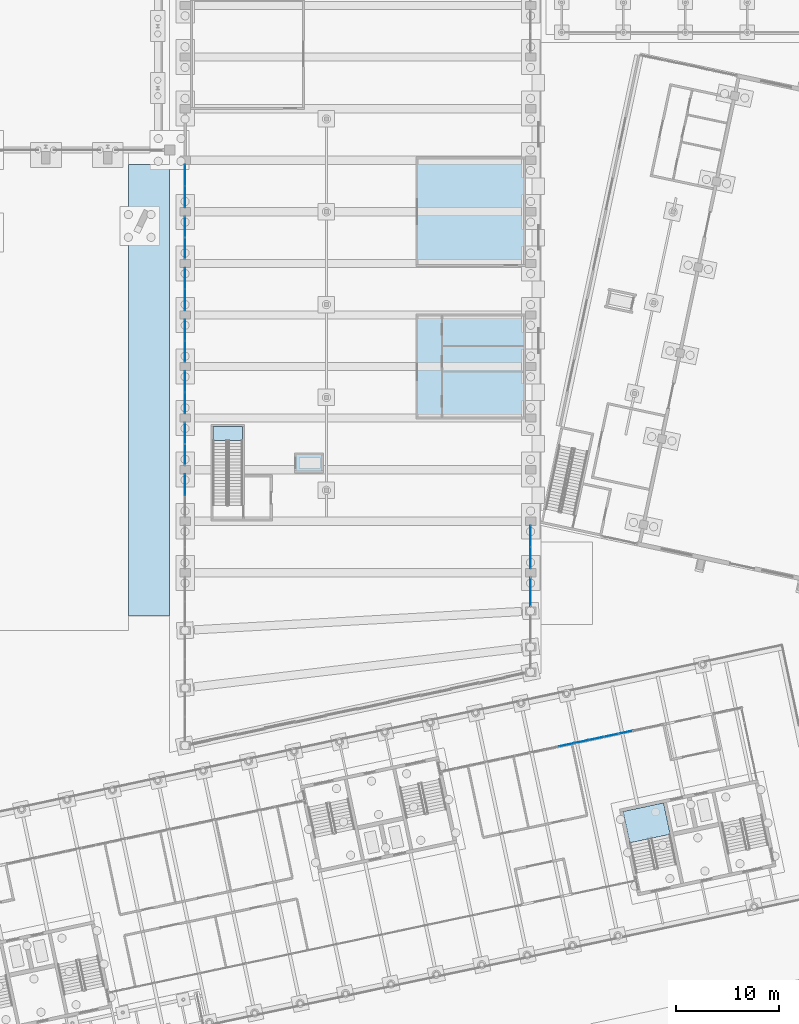
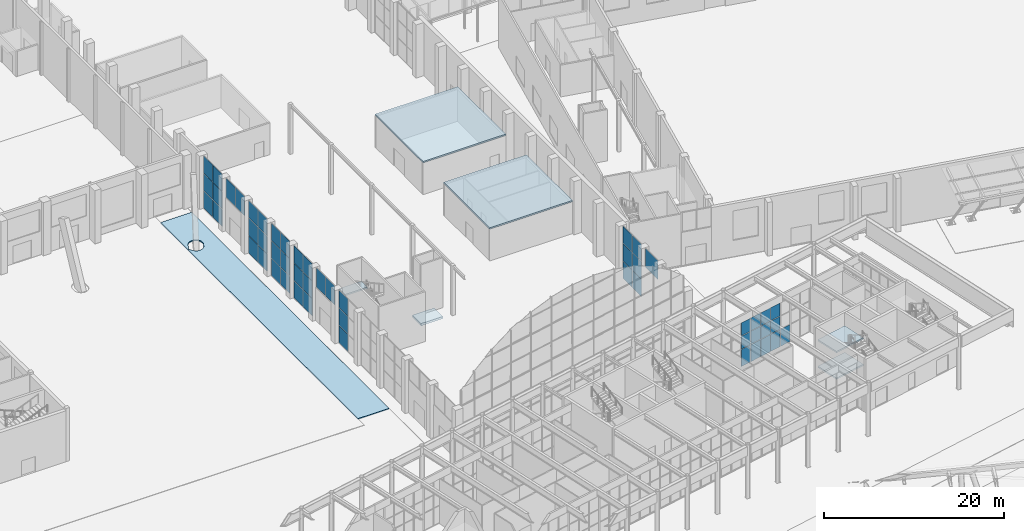
# One storey, part 154 of 239: 51 plates, 7 slabs, 12 elements without a shape of their own.
"""IFC4 building model written with IfcOpenShell, lengths in metres."""

import ifcopenshell
import ifcopenshell.guid

model = None  # the IFC model being written
_history = None  # IfcOwnerHistory: only IFC2X3 demands one
_inside = {}  # id of a spatial element -> (the spatial element, [elements in it])
_under = {}  # id of a project, library or spatial element -> (it, [spatial elements below it])
_declared = {}  # id of a project -> (the project, [libraries it declares])
_typed = {}  # id of a type object -> (the type object, [elements of that type])
_made_of = {}  # id of a material, layer set ... -> (it, [elements and type objects made of it])


def new_model(schema):
    """Start an empty IFC model of exactly this schema.

    Asked for "IFC4X3", IfcOpenShell would pick the latest addendum, in which some entities
    have other attributes; the version numbers below select the first issue.
    IFC2X3 requires an IfcOwnerHistory on every rooted entity: one is made here for all.
    """
    global model, _history
    if schema == "IFC4X3":
        model = ifcopenshell.file(schema_version=(4, 3, 0, 0))
    else:
        model = ifcopenshell.file(schema=schema)
    _inside.clear()
    _under.clear()
    _declared.clear()
    _typed.clear()
    _made_of.clear()
    _history = None
    if model.schema == "IFC2X3":
        org = make("IfcOrganization", Name="unknown")
        user = make(
            "IfcPersonAndOrganization",
            ThePerson=make("IfcPerson", FamilyName="unknown"),
            TheOrganization=org,
        )
        app = make(
            "IfcApplication",
            ApplicationDeveloper=org,
            Version="unknown",
            ApplicationFullName="unknown",
            ApplicationIdentifier="unknown",
        )
        _history = make(
            "IfcOwnerHistory",
            OwningUser=user,
            OwningApplication=app,
            ChangeAction="ADDED",
            CreationDate=0,
        )
    return model


def make(cls, **values):
    """One entity of the class cls with the attributes given. An attribute that is None is left unset."""
    return model.create_entity(
        cls, **{name: value for name, value in values.items() if value is not None}
    )


def rooted(cls, **values):
    """An entity with a GlobalId (a new one), such as an element, a storey or a relation."""
    return make(cls, GlobalId=ifcopenshell.guid.new(), OwnerHistory=_history, **values)


def si_unit(unit_type, name, prefix=None):
    """IfcSIUnit, for example si_unit("LENGTHUNIT", "METRE", prefix="MILLI")."""
    return make("IfcSIUnit", UnitType=unit_type, Prefix=prefix, Name=name)


def assignment(units):
    """IfcUnitAssignment: the units of a project."""
    return None if units is None else make("IfcUnitAssignment", Units=units)


def point(xyz):
    """IfcCartesianPoint."""
    return None if xyz is None else make("IfcCartesianPoint", Coordinates=xyz)


def direction(xyz):
    """IfcDirection."""
    return None if xyz is None else make("IfcDirection", DirectionRatios=xyz)


def frame(location, z_axis=None, x_axis=None):
    """IfcAxis2Placement3D, a coordinate frame: its origin and axes. An axis left out is left unset."""
    return make(
        "IfcAxis2Placement3D",
        Location=point(location),
        Axis=direction(z_axis),
        RefDirection=direction(x_axis),
    )


def frame_2d(location, x_axis=None):
    """IfcAxis2Placement2D, a coordinate frame in the plane: its origin and x axis."""
    return make(
        "IfcAxis2Placement2D", Location=point(location), RefDirection=direction(x_axis)
    )


def origin():
    """The frame at (0, 0, 0) with its axes left unset."""
    return frame((0.0, 0.0, 0.0))


def origin_2d():
    """The frame at (0, 0) in the plane with its x axis left unset."""
    return frame_2d((0.0, 0.0))


def place(relative_to, where):
    """IfcLocalPlacement: puts the frame where relative to a parent placement (None: the world)."""
    return make(
        "IfcLocalPlacement", PlacementRelTo=relative_to, RelativePlacement=where
    )


def context(
    kind, dimensions, precision=None, world=None, true_north=None, identifier=None
):
    """IfcGeometricRepresentationContext, for example the 3D "Model" context."""
    return make(
        "IfcGeometricRepresentationContext",
        ContextIdentifier=identifier,
        ContextType=kind,
        CoordinateSpaceDimension=dimensions,
        Precision=precision,
        WorldCoordinateSystem=world,
        TrueNorth=true_north,
    )


def subcontext(parent, identifier, kind, view, scale=None):
    """IfcGeometricRepresentationSubContext, for example "Body" below "Model"."""
    return make(
        "IfcGeometricRepresentationSubContext",
        ContextIdentifier=identifier,
        ContextType=kind,
        ParentContext=parent,
        TargetScale=scale,
        TargetView=view,
    )


def project(units=None, contexts=None):
    """IfcProject with its units and contexts."""
    return rooted(
        "IfcProject",
        Name="project",
        RepresentationContexts=contexts,
        UnitsInContext=assignment(units),
    )


def spatial(cls, under=None, at=None, **own):
    """A site, building, storey or space (cls), placed at a placement, below another one or the project."""
    s = rooted(cls, ObjectPlacement=at, **own)
    if under is not None:
        _under.setdefault(under.id(), (under, []))[1].append(s)
    return s


def polyline(points):
    """IfcPolyline through the points."""
    return make("IfcPolyline", Points=[point(p) for p in points])


def profile(cls, at=None, kind="AREA", **sizes):
    """A parametric profile (cls). Its sizes go by their IFC names, for example OverallWidth=200.0."""
    return make(cls, ProfileType=kind, Position=at, **sizes)


def rectangle(**sizes):
    """IfcRectangleProfileDef."""
    return profile("IfcRectangleProfileDef", **sizes)


def outline(outer, holes=None, kind="AREA"):
    """IfcArbitraryClosedProfileDef: a profile drawn as a closed curve; with holes, ...WithVoids."""
    if holes is None:
        return make("IfcArbitraryClosedProfileDef", ProfileType=kind, OuterCurve=outer)
    return make(
        "IfcArbitraryProfileDefWithVoids",
        ProfileType=kind,
        OuterCurve=outer,
        InnerCurves=holes,
    )


def extrude(swept, where, along, depth):
    """IfcExtrudedAreaSolid: the profile swept, set in the frame where, extruded along a direction by depth."""
    return make(
        "IfcExtrudedAreaSolid",
        SweptArea=swept,
        Position=where,
        ExtrudedDirection=direction(along),
        Depth=depth,
    )


def shape(context_of_items, identifier, shape_type, items):
    """IfcShapeRepresentation: the items that make up one representation, for example the "Body"."""
    return make(
        "IfcShapeRepresentation",
        ContextOfItems=context_of_items,
        RepresentationIdentifier=identifier,
        RepresentationType=shape_type,
        Items=items,
    )


def material(Name=None, Category=None):
    """IfcMaterial."""
    return make("IfcMaterial", Name=Name, Category=Category)


def layer(
    of_material, thickness, ventilated=None, Name=None, Category=None, Priority=None
):
    """IfcMaterialLayer: one layer of a wall or slab, of a material (None: an air gap)."""
    return make(
        "IfcMaterialLayer",
        Material=of_material,
        LayerThickness=thickness,
        IsVentilated=ventilated,
        Name=Name,
        Category=Category,
        Priority=Priority,
    )


def layer_set(layers, Name=None):
    """IfcMaterialLayerSet."""
    return make("IfcMaterialLayerSet", MaterialLayers=layers, LayerSetName=Name)


def made_of(thing, what):
    """Note that an element or type object is made of a material, layer set ...; save() writes the relation."""
    if what is not None:
        _made_of.setdefault(what.id(), (what, []))[1].append(thing)
    return thing


def type_object(cls, material=None, **own):
    """A type object (cls), such as IfcWallType, which elements share."""
    return made_of(rooted(cls, **own), material)


def element(
    cls,
    number,
    at=None,
    inside=None,
    cuts=None,
    type_object=None,
    material=None,
    context=None,
    identifier="Body",
    shape_type=None,
    held_by="IfcProductDefinitionShape",
    body=None,
    shapes=None,
    **own,
):
    """One element of the class cls, such as IfcWall. Its Tag is "e" and its number.

    at: its placement. inside: the storey or other place that contains it. cuts: it is an
    opening in that element (IfcRelVoidsElement). A single representation is given by context,
    identifier, shape_type and body (its items); several are given by shapes. held_by: the class
    of the entity that holds the representations. save() writes the other relations.
    """
    e = rooted(cls, Tag="e%d" % number, ObjectPlacement=at, **own)
    if body is not None:
        shapes = [shape(context, identifier, shape_type, body)]
    if shapes is not None:
        e.Representation = make(held_by, Representations=shapes)
    if inside is not None:
        _inside.setdefault(inside.id(), (inside, []))[1].append(e)
    if cuts is not None:
        rooted(
            "IfcRelVoidsElement", RelatingBuildingElement=cuts, RelatedOpeningElement=e
        )
    if type_object is not None:
        _typed.setdefault(type_object.id(), (type_object, []))[1].append(e)
    return made_of(e, material)


def aggregate(whole, parts):
    """IfcRelAggregates: a whole, such as a stair, and the parts it consists of."""
    return rooted("IfcRelAggregates", RelatingObject=whole, RelatedObjects=parts)


def save(model, path):
    """Write the relations noted so far, then the file.

    IfcRelAggregates (storeys below a building ...), IfcRelContainedInSpatialStructure (elements
    in a storey), IfcRelDefinesByType, IfcRelAssociatesMaterial and IfcRelDeclares: one each for
    every whole, place, type object, material and project.
    """
    for whole, parts in _under.values():
        aggregate(whole, parts)
    for where, things in _inside.values():
        rooted(
            "IfcRelContainedInSpatialStructure",
            RelatedElements=things,
            RelatingStructure=where,
        )
    for kind, things in _typed.values():
        rooted("IfcRelDefinesByType", RelatedObjects=things, RelatingType=kind)
    for what, things in _made_of.values():
        rooted("IfcRelAssociatesMaterial", RelatedObjects=things, RelatingMaterial=what)
    for by, libraries in _declared.values():
        rooted("IfcRelDeclares", RelatingContext=by, RelatedDefinitions=libraries)
    model.write(path)


model = new_model("IFC4")

# Units and contexts
model_context = context("Model", 3, precision=1e-05, world=origin(), true_north=direction((0.0, 1.0)))
body_context = subcontext(model_context, "Body", "Model", "MODEL_VIEW")
ifc_project = project(units=[si_unit("LENGTHUNIT", "METRE"), si_unit("AREAUNIT", "SQUARE_METRE"), si_unit("VOLUMEUNIT", "CUBIC_METRE"), si_unit("PLANEANGLEUNIT", "RADIAN"), si_unit("MASSUNIT", "GRAM", prefix="KILO")], contexts=[model_context])

# Site, building, storey
site_placement = place(None, origin())
site = spatial("IfcSite", under=ifc_project, at=site_placement, CompositionType="ELEMENT")
building_placement = place(site_placement, origin())
building = spatial("IfcBuilding", under=site, at=building_placement, Name="Okhra Congress Centre", CompositionType="ELEMENT")
storey_placement = place(building_placement, origin())
storey = spatial("IfcBuildingStorey", under=building, at=storey_placement, Name="L00", CompositionType="ELEMENT", Elevation=0.0)

# Curtain wall, plates
ifc_material_1 = material(Name="Aluminium curtain wall, triple glazing", Category="aluminium")
curtain_wall_type_1 = type_object("IfcCurtainWallType", Name="Curtain wall 2100 module", PredefinedType="NOTDEFINED", material=ifc_material_1)
curtain_wall_1_placement = place(storey_placement, origin())
curtain_wall_1 = element("IfcCurtainWall", 1, at=curtain_wall_1_placement, inside=storey, type_object=curtain_wall_type_1, Name="West bay 5 glazing", PredefinedType="NOTDEFINED")
ifc_material_2 = material(Name="Triple glazing unit, low-e coating, argon fill", Category="glass")
ifc_layer_1 = layer(ifc_material_2, 0.028076171875)
ifc_layer_set_1 = layer_set([ifc_layer_1], Name="Curtain wall glazing unit 28")
plate_type = type_object("IfcPlateType", Name="Curtain wall glazing unit 28", PredefinedType="CURTAIN_PANEL", material=ifc_layer_set_1)
plate_1_placement = place(storey_placement, frame((155.5, 99.534912109375, 0.06005859375), z_axis=(0.0, 0.0, 1.0), x_axis=(0.0, 1.0, 0.0)))
plate_1 = element("IfcPlate", 2, at=plate_1_placement, type_object=plate_type, Name="CW4 panel 2.1", PredefinedType="CURTAIN_PANEL", context=body_context, shape_type="SweptSolid", body=[
    extrude(rectangle(XDim=2.010009765625, YDim=0.028076171875, at=origin_2d()), origin(), (0.0, 0.0, 1.0), 2.31005859375),
])
plate_2_placement = place(storey_placement, frame((155.5, 99.534912109375, 2.43017578125), z_axis=(0.0, 0.0, 1.0), x_axis=(0.0, 1.0, 0.0)))
plate_2 = element("IfcPlate", 3, at=plate_2_placement, type_object=plate_type, Name="CW4 panel 2.2", PredefinedType="CURTAIN_PANEL", context=body_context, shape_type="SweptSolid", body=[
    extrude(rectangle(XDim=2.010009765625, YDim=0.028076171875, at=origin_2d()), origin(), (0.0, 0.0, 1.0), 2.340087890625),
])
plate_3_placement = place(storey_placement, frame((155.5, 99.534912109375, 4.830078125), z_axis=(0.0, 0.0, 1.0), x_axis=(0.0, 1.0, 0.0)))
plate_3 = element("IfcPlate", 4, at=plate_3_placement, type_object=plate_type, Name="CW4 panel 2.3", PredefinedType="CURTAIN_PANEL", context=body_context, shape_type="SweptSolid", body=[
    extrude(rectangle(XDim=2.010009765625, YDim=0.028076171875, at=origin_2d()), origin(), (0.0, 0.0, 1.0), 2.31005859375),
])
aggregate(curtain_wall_1, [plate_1, plate_2, plate_3])

curtain_wall_2_placement = place(storey_placement, origin())
curtain_wall_2 = element("IfcCurtainWall", 5, at=curtain_wall_2_placement, inside=storey, type_object=curtain_wall_type_1, Name="West bay 6 glazing above the doors", PredefinedType="NOTDEFINED")
plate_4_placement = place(storey_placement, frame((155.5, 102.465087890625, 4.56005859375), z_axis=(0.0, 0.0, 1.0), x_axis=(0.0, 1.0, 0.0)))
plate_4 = element("IfcPlate", 6, at=plate_4_placement, type_object=plate_type, Name="CW4 panel 1.1", PredefinedType="CURTAIN_PANEL", context=body_context, shape_type="SweptSolid", body=[
    extrude(rectangle(XDim=2.010009765625, YDim=0.028076171875, at=origin_2d()), origin(), (0.0, 0.0, 1.0), 2.580078125),
])
plate_5_placement = place(storey_placement, frame((155.5, 104.534912109375, 4.56005859375), z_axis=(0.0, 0.0, 1.0), x_axis=(0.0, 1.0, 0.0)))
plate_5 = element("IfcPlate", 7, at=plate_5_placement, type_object=plate_type, Name="CW4 panel 2.1", PredefinedType="CURTAIN_PANEL", context=body_context, shape_type="SweptSolid", body=[
    extrude(rectangle(XDim=2.010009765625, YDim=0.028076171875, at=origin_2d()), origin(), (0.0, 0.0, 1.0), 2.580078125),
])
aggregate(curtain_wall_2, [plate_4, plate_5])

curtain_wall_3_placement = place(storey_placement, origin())
curtain_wall_3 = element("IfcCurtainWall", 8, at=curtain_wall_3_placement, inside=storey, type_object=curtain_wall_type_1, Name="West bay 7 glazing", PredefinedType="NOTDEFINED")
plate_6_placement = place(storey_placement, frame((155.5, 107.465087890625, 0.06005859375), z_axis=(0.0, 0.0, 1.0), x_axis=(0.0, 1.0, 0.0)))
plate_6 = element("IfcPlate", 9, at=plate_6_placement, type_object=plate_type, Name="CW4 panel 1.1", PredefinedType="CURTAIN_PANEL", context=body_context, shape_type="SweptSolid", body=[
    extrude(rectangle(XDim=2.010009765625, YDim=0.028076171875, at=origin_2d()), origin(), (0.0, 0.0, 1.0), 2.31005859375),
])
plate_7_placement = place(storey_placement, frame((155.5, 107.465087890625, 2.43017578125), z_axis=(0.0, 0.0, 1.0), x_axis=(0.0, 1.0, 0.0)))
plate_7 = element("IfcPlate", 10, at=plate_7_placement, type_object=plate_type, Name="CW4 panel 1.2", PredefinedType="CURTAIN_PANEL", context=body_context, shape_type="SweptSolid", body=[
    extrude(rectangle(XDim=2.010009765625, YDim=0.028076171875, at=origin_2d()), origin(), (0.0, 0.0, 1.0), 2.340087890625),
])
plate_8_placement = place(storey_placement, frame((155.5, 107.465087890625, 4.830078125), z_axis=(0.0, 0.0, 1.0), x_axis=(0.0, 1.0, 0.0)))
plate_8 = element("IfcPlate", 11, at=plate_8_placement, type_object=plate_type, Name="CW4 panel 1.3", PredefinedType="CURTAIN_PANEL", context=body_context, shape_type="SweptSolid", body=[
    extrude(rectangle(XDim=2.010009765625, YDim=0.028076171875, at=origin_2d()), origin(), (0.0, 0.0, 1.0), 2.31005859375),
])
plate_9_placement = place(storey_placement, frame((155.5, 109.534912109375, 0.06005859375), z_axis=(0.0, 0.0, 1.0), x_axis=(0.0, 1.0, 0.0)))
plate_9 = element("IfcPlate", 12, at=plate_9_placement, type_object=plate_type, Name="CW4 panel 2.1", PredefinedType="CURTAIN_PANEL", context=body_context, shape_type="SweptSolid", body=[
    extrude(rectangle(XDim=2.010009765625, YDim=0.028076171875, at=origin_2d()), origin(), (0.0, 0.0, 1.0), 2.31005859375),
])
plate_10_placement = place(storey_placement, frame((155.5, 109.534912109375, 2.43017578125), z_axis=(0.0, 0.0, 1.0), x_axis=(0.0, 1.0, 0.0)))
plate_10 = element("IfcPlate", 13, at=plate_10_placement, type_object=plate_type, Name="CW4 panel 2.2", PredefinedType="CURTAIN_PANEL", context=body_context, shape_type="SweptSolid", body=[
    extrude(rectangle(XDim=2.010009765625, YDim=0.028076171875, at=origin_2d()), origin(), (0.0, 0.0, 1.0), 2.340087890625),
])
plate_11_placement = place(storey_placement, frame((155.5, 109.534912109375, 4.830078125), z_axis=(0.0, 0.0, 1.0), x_axis=(0.0, 1.0, 0.0)))
plate_11 = element("IfcPlate", 14, at=plate_11_placement, type_object=plate_type, Name="CW4 panel 2.3", PredefinedType="CURTAIN_PANEL", context=body_context, shape_type="SweptSolid", body=[
    extrude(rectangle(XDim=2.010009765625, YDim=0.028076171875, at=origin_2d()), origin(), (0.0, 0.0, 1.0), 2.31005859375),
])
aggregate(curtain_wall_3, [plate_6, plate_7, plate_8, plate_9, plate_10, plate_11])

curtain_wall_4_placement = place(storey_placement, origin())
curtain_wall_4 = element("IfcCurtainWall", 15, at=curtain_wall_4_placement, inside=storey, type_object=curtain_wall_type_1, Name="West bay 8 glazing", PredefinedType="NOTDEFINED")
plate_12_placement = place(storey_placement, frame((155.5, 112.465087890625, 0.06005859375), z_axis=(0.0, 0.0, 1.0), x_axis=(0.0, 1.0, 0.0)))
plate_12 = element("IfcPlate", 16, at=plate_12_placement, type_object=plate_type, Name="CW4 panel 1.1", PredefinedType="CURTAIN_PANEL", context=body_context, shape_type="SweptSolid", body=[
    extrude(rectangle(XDim=2.010009765625, YDim=0.028076171875, at=origin_2d()), origin(), (0.0, 0.0, 1.0), 2.31005859375),
])
plate_13_placement = place(storey_placement, frame((155.5, 112.465087890625, 2.43017578125), z_axis=(0.0, 0.0, 1.0), x_axis=(0.0, 1.0, 0.0)))
plate_13 = element("IfcPlate", 17, at=plate_13_placement, type_object=plate_type, Name="CW4 panel 1.2", PredefinedType="CURTAIN_PANEL", context=body_context, shape_type="SweptSolid", body=[
    extrude(rectangle(XDim=2.010009765625, YDim=0.028076171875, at=origin_2d()), origin(), (0.0, 0.0, 1.0), 2.340087890625),
])
plate_14_placement = place(storey_placement, frame((155.5, 112.465087890625, 4.830078125), z_axis=(0.0, 0.0, 1.0), x_axis=(0.0, 1.0, 0.0)))
plate_14 = element("IfcPlate", 18, at=plate_14_placement, type_object=plate_type, Name="CW4 panel 1.3", PredefinedType="CURTAIN_PANEL", context=body_context, shape_type="SweptSolid", body=[
    extrude(rectangle(XDim=2.010009765625, YDim=0.028076171875, at=origin_2d()), origin(), (0.0, 0.0, 1.0), 2.31005859375),
])
plate_15_placement = place(storey_placement, frame((155.5, 114.534912109375, 0.06005859375), z_axis=(0.0, 0.0, 1.0), x_axis=(0.0, 1.0, 0.0)))
plate_15 = element("IfcPlate", 19, at=plate_15_placement, type_object=plate_type, Name="CW4 panel 2.1", PredefinedType="CURTAIN_PANEL", context=body_context, shape_type="SweptSolid", body=[
    extrude(rectangle(XDim=2.010009765625, YDim=0.028076171875, at=origin_2d()), origin(), (0.0, 0.0, 1.0), 2.31005859375),
])
plate_16_placement = place(storey_placement, frame((155.5, 114.534912109375, 2.43017578125), z_axis=(0.0, 0.0, 1.0), x_axis=(0.0, 1.0, 0.0)))
plate_16 = element("IfcPlate", 20, at=plate_16_placement, type_object=plate_type, Name="CW4 panel 2.2", PredefinedType="CURTAIN_PANEL", context=body_context, shape_type="SweptSolid", body=[
    extrude(rectangle(XDim=2.010009765625, YDim=0.028076171875, at=origin_2d()), origin(), (0.0, 0.0, 1.0), 2.340087890625),
])
plate_17_placement = place(storey_placement, frame((155.5, 114.534912109375, 4.830078125), z_axis=(0.0, 0.0, 1.0), x_axis=(0.0, 1.0, 0.0)))
plate_17 = element("IfcPlate", 21, at=plate_17_placement, type_object=plate_type, Name="CW4 panel 2.3", PredefinedType="CURTAIN_PANEL", context=body_context, shape_type="SweptSolid", body=[
    extrude(rectangle(XDim=2.010009765625, YDim=0.028076171875, at=origin_2d()), origin(), (0.0, 0.0, 1.0), 2.31005859375),
])
aggregate(curtain_wall_4, [plate_12, plate_13, plate_14, plate_15, plate_16, plate_17])

curtain_wall_5_placement = place(storey_placement, origin())
curtain_wall_5 = element("IfcCurtainWall", 22, at=curtain_wall_5_placement, inside=storey, type_object=curtain_wall_type_1, Name="West bay 9 glazing", PredefinedType="NOTDEFINED")
plate_18_placement = place(storey_placement, frame((155.5, 117.465087890625, 0.06005859375), z_axis=(0.0, 0.0, 1.0), x_axis=(0.0, 1.0, 0.0)))
plate_18 = element("IfcPlate", 23, at=plate_18_placement, type_object=plate_type, Name="CW4 panel 1.1", PredefinedType="CURTAIN_PANEL", context=body_context, shape_type="SweptSolid", body=[
    extrude(rectangle(XDim=2.010009765625, YDim=0.028076171875, at=origin_2d()), origin(), (0.0, 0.0, 1.0), 2.31005859375),
])
plate_19_placement = place(storey_placement, frame((155.5, 117.465087890625, 2.43017578125), z_axis=(0.0, 0.0, 1.0), x_axis=(0.0, 1.0, 0.0)))
plate_19 = element("IfcPlate", 24, at=plate_19_placement, type_object=plate_type, Name="CW4 panel 1.2", PredefinedType="CURTAIN_PANEL", context=body_context, shape_type="SweptSolid", body=[
    extrude(rectangle(XDim=2.010009765625, YDim=0.028076171875, at=origin_2d()), origin(), (0.0, 0.0, 1.0), 2.340087890625),
])
plate_20_placement = place(storey_placement, frame((155.5, 117.465087890625, 4.830078125), z_axis=(0.0, 0.0, 1.0), x_axis=(0.0, 1.0, 0.0)))
plate_20 = element("IfcPlate", 25, at=plate_20_placement, type_object=plate_type, Name="CW4 panel 1.3", PredefinedType="CURTAIN_PANEL", context=body_context, shape_type="SweptSolid", body=[
    extrude(rectangle(XDim=2.010009765625, YDim=0.028076171875, at=origin_2d()), origin(), (0.0, 0.0, 1.0), 2.31005859375),
])
plate_21_placement = place(storey_placement, frame((155.5, 119.534912109375, 0.06005859375), z_axis=(0.0, 0.0, 1.0), x_axis=(0.0, 1.0, 0.0)))
plate_21 = element("IfcPlate", 26, at=plate_21_placement, type_object=plate_type, Name="CW4 panel 2.1", PredefinedType="CURTAIN_PANEL", context=body_context, shape_type="SweptSolid", body=[
    extrude(rectangle(XDim=2.010009765625, YDim=0.028076171875, at=origin_2d()), origin(), (0.0, 0.0, 1.0), 2.31005859375),
])
plate_22_placement = place(storey_placement, frame((155.5, 119.534912109375, 2.43017578125), z_axis=(0.0, 0.0, 1.0), x_axis=(0.0, 1.0, 0.0)))
plate_22 = element("IfcPlate", 27, at=plate_22_placement, type_object=plate_type, Name="CW4 panel 2.2", PredefinedType="CURTAIN_PANEL", context=body_context, shape_type="SweptSolid", body=[
    extrude(rectangle(XDim=2.010009765625, YDim=0.028076171875, at=origin_2d()), origin(), (0.0, 0.0, 1.0), 2.340087890625),
])
plate_23_placement = place(storey_placement, frame((155.5, 119.534912109375, 4.830078125), z_axis=(0.0, 0.0, 1.0), x_axis=(0.0, 1.0, 0.0)))
plate_23 = element("IfcPlate", 28, at=plate_23_placement, type_object=plate_type, Name="CW4 panel 2.3", PredefinedType="CURTAIN_PANEL", context=body_context, shape_type="SweptSolid", body=[
    extrude(rectangle(XDim=2.010009765625, YDim=0.028076171875, at=origin_2d()), origin(), (0.0, 0.0, 1.0), 2.31005859375),
])
aggregate(curtain_wall_5, [plate_18, plate_19, plate_20, plate_21, plate_22, plate_23])

curtain_wall_6_placement = place(storey_placement, origin())
curtain_wall_6 = element("IfcCurtainWall", 29, at=curtain_wall_6_placement, inside=storey, type_object=curtain_wall_type_1, Name="West bay 10 glazing above the doors", PredefinedType="NOTDEFINED")
plate_24_placement = place(storey_placement, frame((155.5, 122.465087890625, 4.56005859375), z_axis=(0.0, 0.0, 1.0), x_axis=(0.0, 1.0, 0.0)))
plate_24 = element("IfcPlate", 30, at=plate_24_placement, type_object=plate_type, Name="CW4 panel 1.1", PredefinedType="CURTAIN_PANEL", context=body_context, shape_type="SweptSolid", body=[
    extrude(rectangle(XDim=2.010009765625, YDim=0.028076171875, at=origin_2d()), origin(), (0.0, 0.0, 1.0), 2.580078125),
])
plate_25_placement = place(storey_placement, frame((155.5, 124.534912109375, 4.56005859375), z_axis=(0.0, 0.0, 1.0), x_axis=(0.0, 1.0, 0.0)))
plate_25 = element("IfcPlate", 31, at=plate_25_placement, type_object=plate_type, Name="CW4 panel 2.1", PredefinedType="CURTAIN_PANEL", context=body_context, shape_type="SweptSolid", body=[
    extrude(rectangle(XDim=2.010009765625, YDim=0.028076171875, at=origin_2d()), origin(), (0.0, 0.0, 1.0), 2.580078125),
])
aggregate(curtain_wall_6, [plate_24, plate_25])

curtain_wall_7_placement = place(storey_placement, origin())
curtain_wall_7 = element("IfcCurtainWall", 32, at=curtain_wall_7_placement, inside=storey, type_object=curtain_wall_type_1, Name="West bay 11 glazing", PredefinedType="NOTDEFINED")
plate_26_placement = place(storey_placement, frame((155.5, 127.465087890625, 0.06005859375), z_axis=(0.0, 0.0, 1.0), x_axis=(0.0, 1.0, 0.0)))
plate_26 = element("IfcPlate", 33, at=plate_26_placement, type_object=plate_type, Name="CW4 panel 1.1", PredefinedType="CURTAIN_PANEL", context=body_context, shape_type="SweptSolid", body=[
    extrude(rectangle(XDim=2.010009765625, YDim=0.028076171875, at=origin_2d()), origin(), (0.0, 0.0, 1.0), 2.31005859375),
])
plate_27_placement = place(storey_placement, frame((155.5, 127.465087890625, 2.43017578125), z_axis=(0.0, 0.0, 1.0), x_axis=(0.0, 1.0, 0.0)))
plate_27 = element("IfcPlate", 34, at=plate_27_placement, type_object=plate_type, Name="CW4 panel 1.2", PredefinedType="CURTAIN_PANEL", context=body_context, shape_type="SweptSolid", body=[
    extrude(rectangle(XDim=2.010009765625, YDim=0.028076171875, at=origin_2d()), origin(), (0.0, 0.0, 1.0), 2.340087890625),
])
plate_28_placement = place(storey_placement, frame((155.5, 127.465087890625, 4.830078125), z_axis=(0.0, 0.0, 1.0), x_axis=(0.0, 1.0, 0.0)))
plate_28 = element("IfcPlate", 35, at=plate_28_placement, type_object=plate_type, Name="CW4 panel 1.3", PredefinedType="CURTAIN_PANEL", context=body_context, shape_type="SweptSolid", body=[
    extrude(rectangle(XDim=2.010009765625, YDim=0.028076171875, at=origin_2d()), origin(), (0.0, 0.0, 1.0), 2.31005859375),
])
plate_29_placement = place(storey_placement, frame((155.5, 129.534912109375, 0.06005859375), z_axis=(0.0, 0.0, 1.0), x_axis=(0.0, 1.0, 0.0)))
plate_29 = element("IfcPlate", 36, at=plate_29_placement, type_object=plate_type, Name="CW4 panel 2.1", PredefinedType="CURTAIN_PANEL", context=body_context, shape_type="SweptSolid", body=[
    extrude(rectangle(XDim=2.010009765625, YDim=0.028076171875, at=origin_2d()), origin(), (0.0, 0.0, 1.0), 2.31005859375),
])
plate_30_placement = place(storey_placement, frame((155.5, 129.534912109375, 2.43017578125), z_axis=(0.0, 0.0, 1.0), x_axis=(0.0, 1.0, 0.0)))
plate_30 = element("IfcPlate", 37, at=plate_30_placement, type_object=plate_type, Name="CW4 panel 2.2", PredefinedType="CURTAIN_PANEL", context=body_context, shape_type="SweptSolid", body=[
    extrude(rectangle(XDim=2.010009765625, YDim=0.028076171875, at=origin_2d()), origin(), (0.0, 0.0, 1.0), 2.340087890625),
])
plate_31_placement = place(storey_placement, frame((155.5, 129.534912109375, 4.830078125), z_axis=(0.0, 0.0, 1.0), x_axis=(0.0, 1.0, 0.0)))
plate_31 = element("IfcPlate", 38, at=plate_31_placement, type_object=plate_type, Name="CW4 panel 2.3", PredefinedType="CURTAIN_PANEL", context=body_context, shape_type="SweptSolid", body=[
    extrude(rectangle(XDim=2.010009765625, YDim=0.028076171875, at=origin_2d()), origin(), (0.0, 0.0, 1.0), 2.31005859375),
])
aggregate(curtain_wall_7, [plate_26, plate_27, plate_28, plate_29, plate_30, plate_31])

# Curtain wall, plate
curtain_wall_8_placement = place(storey_placement, origin())
curtain_wall_8 = element("IfcCurtainWall", 39, at=curtain_wall_8_placement, inside=storey, type_object=curtain_wall_type_1, Name="East bay 3 glazing above the doors", PredefinedType="NOTDEFINED")
plate_32_placement = place(storey_placement, frame((189.0, 89.14990234375, 4.56005859375), z_axis=(0.0, 0.0, 1.0), x_axis=(0.0, 1.0, 0.0)))
plate_32 = element("IfcPlate", 40, at=plate_32_placement, type_object=plate_type, Name="CW4 panel 1.1", PredefinedType="CURTAIN_PANEL", context=body_context, shape_type="SweptSolid", body=[
    extrude(rectangle(XDim=2.780029296875, YDim=0.028076171875, at=origin_2d()), origin(), (0.0, 0.0, 1.0), 2.580078125),
])
aggregate(curtain_wall_8, [plate_32])

# Curtain wall, plates
curtain_wall_9_placement = place(storey_placement, origin())
curtain_wall_9 = element("IfcCurtainWall", 41, at=curtain_wall_9_placement, inside=storey, type_object=curtain_wall_type_1, Name="East bay 4 glazing", PredefinedType="NOTDEFINED")
plate_33_placement = place(storey_placement, frame((189.0, 92.465087890625, 0.06005859375), z_axis=(0.0, 0.0, 1.0), x_axis=(0.0, 1.0, 0.0)))
plate_33 = element("IfcPlate", 42, at=plate_33_placement, type_object=plate_type, Name="CW4 panel 1.1", PredefinedType="CURTAIN_PANEL", context=body_context, shape_type="SweptSolid", body=[
    extrude(rectangle(XDim=2.010009765625, YDim=0.028076171875, at=origin_2d()), origin(), (0.0, 0.0, 1.0), 2.31005859375),
])
plate_34_placement = place(storey_placement, frame((189.0, 92.465087890625, 2.43017578125), z_axis=(0.0, 0.0, 1.0), x_axis=(0.0, 1.0, 0.0)))
plate_34 = element("IfcPlate", 43, at=plate_34_placement, type_object=plate_type, Name="CW4 panel 1.2", PredefinedType="CURTAIN_PANEL", context=body_context, shape_type="SweptSolid", body=[
    extrude(rectangle(XDim=2.010009765625, YDim=0.028076171875, at=origin_2d()), origin(), (0.0, 0.0, 1.0), 2.340087890625),
])
plate_35_placement = place(storey_placement, frame((189.0, 92.465087890625, 4.830078125), z_axis=(0.0, 0.0, 1.0), x_axis=(0.0, 1.0, 0.0)))
plate_35 = element("IfcPlate", 44, at=plate_35_placement, type_object=plate_type, Name="CW4 panel 1.3", PredefinedType="CURTAIN_PANEL", context=body_context, shape_type="SweptSolid", body=[
    extrude(rectangle(XDim=2.010009765625, YDim=0.028076171875, at=origin_2d()), origin(), (0.0, 0.0, 1.0), 2.31005859375),
])
plate_36_placement = place(storey_placement, frame((189.0, 94.534912109375, 0.06005859375), z_axis=(0.0, 0.0, 1.0), x_axis=(0.0, 1.0, 0.0)))
plate_36 = element("IfcPlate", 45, at=plate_36_placement, type_object=plate_type, Name="CW4 panel 2.1", PredefinedType="CURTAIN_PANEL", context=body_context, shape_type="SweptSolid", body=[
    extrude(rectangle(XDim=2.010009765625, YDim=0.028076171875, at=origin_2d()), origin(), (0.0, 0.0, 1.0), 2.31005859375),
])
plate_37_placement = place(storey_placement, frame((189.0, 94.534912109375, 2.43017578125), z_axis=(0.0, 0.0, 1.0), x_axis=(0.0, 1.0, 0.0)))
plate_37 = element("IfcPlate", 46, at=plate_37_placement, type_object=plate_type, Name="CW4 panel 2.2", PredefinedType="CURTAIN_PANEL", context=body_context, shape_type="SweptSolid", body=[
    extrude(rectangle(XDim=2.010009765625, YDim=0.028076171875, at=origin_2d()), origin(), (0.0, 0.0, 1.0), 2.340087890625),
])
plate_38_placement = place(storey_placement, frame((189.0, 94.534912109375, 4.830078125), z_axis=(0.0, 0.0, 1.0), x_axis=(0.0, 1.0, 0.0)))
plate_38 = element("IfcPlate", 47, at=plate_38_placement, type_object=plate_type, Name="CW4 panel 2.3", PredefinedType="CURTAIN_PANEL", context=body_context, shape_type="SweptSolid", body=[
    extrude(rectangle(XDim=2.010009765625, YDim=0.028076171875, at=origin_2d()), origin(), (0.0, 0.0, 1.0), 2.31005859375),
])
aggregate(curtain_wall_9, [plate_33, plate_34, plate_35, plate_36, plate_37, plate_38])

curtain_wall_type_2 = type_object("IfcCurtainWallType", Name="Curtain wall 1500 module", PredefinedType="NOTDEFINED", material=ifc_material_1)
curtain_wall_10_placement = place(storey_placement, origin())
curtain_wall_10 = element("IfcCurtainWall", 48, at=curtain_wall_10_placement, inside=storey, type_object=curtain_wall_type_2, Name="Ground curtain wall N10", PredefinedType="NOTDEFINED")
plate_39_placement = place(storey_placement, frame((192.48828125, 74.328369140625, 0.06005859375), z_axis=(0.0, 0.0, 1.0), x_axis=(0.978147600734, 0.207911690818, 0.0)))
plate_39 = element("IfcPlate", 49, at=plate_39_placement, type_object=plate_type, Name="CW7 panel 9.1", PredefinedType="CURTAIN_PANEL", context=body_context, shape_type="SweptSolid", body=[
    extrude(rectangle(XDim=1.404052734375, YDim=0.028076171875, at=origin_2d()), origin(), (0.0, 0.0, 1.0), 2.31005859375),
])
plate_40_placement = place(storey_placement, frame((192.48828125, 74.328369140625, 2.43017578125), z_axis=(0.0, 0.0, 1.0), x_axis=(0.978147600734, 0.207911690818, 0.0)))
plate_40 = element("IfcPlate", 50, at=plate_40_placement, type_object=plate_type, Name="CW7 panel 9.2", PredefinedType="CURTAIN_PANEL", context=body_context, shape_type="SweptSolid", body=[
    extrude(rectangle(XDim=1.404052734375, YDim=0.028076171875, at=origin_2d()), origin(), (0.0, 0.0, 1.0), 1.739990234375),
])
plate_41_placement = place(storey_placement, frame((192.48828125, 74.328369140625, 4.22998046875), z_axis=(0.0, 0.0, 1.0), x_axis=(0.978147600734, 0.207911690818, 0.0)))
plate_41 = element("IfcPlate", 51, at=plate_41_placement, type_object=plate_type, Name="CW7 panel 9.3", PredefinedType="CURTAIN_PANEL", context=body_context, shape_type="SweptSolid", body=[
    extrude(rectangle(XDim=1.404052734375, YDim=0.028076171875, at=origin_2d()), origin(), (0.0, 0.0, 1.0), 1.760009765625),
])
plate_42_placement = place(storey_placement, frame((193.92041015625, 74.6328125, 0.06005859375), z_axis=(0.0, 0.0, 1.0), x_axis=(0.978147600734, 0.207911690818, 0.0)))
plate_42 = element("IfcPlate", 52, at=plate_42_placement, type_object=plate_type, Name="CW7 panel 10.1", PredefinedType="CURTAIN_PANEL", context=body_context, shape_type="SweptSolid", body=[
    extrude(rectangle(XDim=1.404052734375, YDim=0.028076171875, at=origin_2d()), origin(), (0.0, 0.0, 1.0), 2.31005859375),
])
plate_43_placement = place(storey_placement, frame((193.92041015625, 74.6328125, 2.43017578125), z_axis=(0.0, 0.0, 1.0), x_axis=(0.978147600734, 0.207911690818, 0.0)))
plate_43 = element("IfcPlate", 53, at=plate_43_placement, type_object=plate_type, Name="CW7 panel 10.2", PredefinedType="CURTAIN_PANEL", context=body_context, shape_type="SweptSolid", body=[
    extrude(rectangle(XDim=1.404052734375, YDim=0.028076171875, at=origin_2d()), origin(), (0.0, 0.0, 1.0), 1.739990234375),
])
plate_44_placement = place(storey_placement, frame((193.92041015625, 74.6328125, 4.22998046875), z_axis=(0.0, 0.0, 1.0), x_axis=(0.978147600734, 0.207911690818, 0.0)))
plate_44 = element("IfcPlate", 54, at=plate_44_placement, type_object=plate_type, Name="CW7 panel 10.3", PredefinedType="CURTAIN_PANEL", context=body_context, shape_type="SweptSolid", body=[
    extrude(rectangle(XDim=1.404052734375, YDim=0.028076171875, at=origin_2d()), origin(), (0.0, 0.0, 1.0), 1.760009765625),
])
plate_45_placement = place(storey_placement, frame((195.352294921875, 74.93701171875, 0.06005859375), z_axis=(0.0, 0.0, 1.0), x_axis=(0.978147600734, 0.207911690818, 0.0)))
plate_45 = element("IfcPlate", 55, at=plate_45_placement, type_object=plate_type, Name="CW7 panel 11.1", PredefinedType="CURTAIN_PANEL", context=body_context, shape_type="SweptSolid", body=[
    extrude(rectangle(XDim=1.404052734375, YDim=0.028076171875, at=origin_2d()), origin(), (0.0, 0.0, 1.0), 2.31005859375),
])
plate_46_placement = place(storey_placement, frame((195.352294921875, 74.93701171875, 2.43017578125), z_axis=(0.0, 0.0, 1.0), x_axis=(0.978147600734, 0.207911690818, 0.0)))
plate_46 = element("IfcPlate", 56, at=plate_46_placement, type_object=plate_type, Name="CW7 panel 11.2", PredefinedType="CURTAIN_PANEL", context=body_context, shape_type="SweptSolid", body=[
    extrude(rectangle(XDim=1.404052734375, YDim=0.028076171875, at=origin_2d()), origin(), (0.0, 0.0, 1.0), 1.739990234375),
])
plate_47_placement = place(storey_placement, frame((195.352294921875, 74.93701171875, 4.22998046875), z_axis=(0.0, 0.0, 1.0), x_axis=(0.978147600734, 0.207911690818, 0.0)))
plate_47 = element("IfcPlate", 57, at=plate_47_placement, type_object=plate_type, Name="CW7 panel 11.3", PredefinedType="CURTAIN_PANEL", context=body_context, shape_type="SweptSolid", body=[
    extrude(rectangle(XDim=1.404052734375, YDim=0.028076171875, at=origin_2d()), origin(), (0.0, 0.0, 1.0), 1.760009765625),
])
plate_48_placement = place(storey_placement, frame((196.784423828125, 75.241455078125, 0.06005859375), z_axis=(0.0, 0.0, 1.0), x_axis=(0.978147600734, 0.207911690818, 0.0)))
plate_48 = element("IfcPlate", 58, at=plate_48_placement, type_object=plate_type, Name="CW7 panel 12.1", PredefinedType="CURTAIN_PANEL", context=body_context, shape_type="SweptSolid", body=[
    extrude(rectangle(XDim=1.404052734375, YDim=0.028076171875, at=origin_2d()), origin(), (0.0, 0.0, 1.0), 2.31005859375),
])
plate_49_placement = place(storey_placement, frame((196.784423828125, 75.241455078125, 2.43017578125), z_axis=(0.0, 0.0, 1.0), x_axis=(0.978147600734, 0.207911690818, 0.0)))
plate_49 = element("IfcPlate", 59, at=plate_49_placement, type_object=plate_type, Name="CW7 panel 12.2", PredefinedType="CURTAIN_PANEL", context=body_context, shape_type="SweptSolid", body=[
    extrude(rectangle(XDim=1.404052734375, YDim=0.028076171875, at=origin_2d()), origin(), (0.0, 0.0, 1.0), 1.739990234375),
])
plate_50_placement = place(storey_placement, frame((196.784423828125, 75.241455078125, 4.22998046875), z_axis=(0.0, 0.0, 1.0), x_axis=(0.978147600734, 0.207911690818, 0.0)))
plate_50 = element("IfcPlate", 60, at=plate_50_placement, type_object=plate_type, Name="CW7 panel 12.3", PredefinedType="CURTAIN_PANEL", context=body_context, shape_type="SweptSolid", body=[
    extrude(rectangle(XDim=1.404052734375, YDim=0.028076171875, at=origin_2d()), origin(), (0.0, 0.0, 1.0), 1.760009765625),
])
plate_51_placement = place(storey_placement, frame((198.21630859375, 75.5458984375, 0.06005859375), z_axis=(0.0, 0.0, 1.0), x_axis=(0.978147600734, 0.207911690818, 0.0)))
plate_51 = element("IfcPlate", 61, at=plate_51_placement, type_object=plate_type, Name="CW7 panel 13.1", PredefinedType="CURTAIN_PANEL", context=body_context, shape_type="SweptSolid", body=[
    extrude(rectangle(XDim=1.404052734375, YDim=0.028076171875, at=origin_2d()), origin(), (0.0, 0.0, 1.0), 2.31005859375),
])
aggregate(curtain_wall_10, [plate_39, plate_40, plate_41, plate_42, plate_43, plate_44, plate_45, plate_46, plate_47, plate_48, plate_49, plate_50, plate_51])

# Slabs
ifc_material_3 = material(Name="Concrete C30/37", Category="concrete")
ifc_layer_2 = layer(ifc_material_3, 0.14990234375)
ifc_layer_set_2 = layer_set([ifc_layer_2], Name="Paving slab 150 C30/37")
slab_type_1 = type_object("IfcSlabType", Name="Paving slab 150 C30/37", PredefinedType="BASESLAB", material=ifc_layer_set_2)
slab_1_placement = place(storey_placement, frame((0.0, 0.0, -0.14990234375)))
element("IfcSlab", 62, at=slab_1_placement, inside=storey, type_object=slab_type_1, Name="Winter Garden West Footpath paving", PredefinedType="BASESLAB", context=body_context, shape_type="SweptSolid", body=[
    extrude(outline(polyline([(153.989990234375, 86.800048828125), (153.989990234375, 130.60009765625), (150.0, 130.60009765625), (150.0, 86.800048828125), (153.989990234375, 86.800048828125)]), holes=[polyline([(150.114501953125, 124.55908203125), (150.40771484375, 124.11767578125), (150.4609375, 124.05224609375), (150.5205078125, 123.9921875), (150.585693359375, 123.938720703125), (150.655517578125, 123.8916015625), (150.72998046875, 123.8515625), (150.807861328125, 123.81884765625), (150.888427734375, 123.794189453125), (150.97119140625, 123.777587890625), (151.05517578125, 123.76904296875), (151.1396484375, 123.768798828125), (151.2236328125, 123.776611328125), (151.306396484375, 123.79296875), (151.38720703125, 123.817138671875), (151.46533203125, 123.849365234375), (151.539794921875, 123.888916015625), (151.610107421875, 123.935546875), (151.675537109375, 123.98876953125), (151.735595703125, 124.04833984375), (151.789306640625, 124.11328125), (151.836181640625, 124.183349609375), (151.876220703125, 124.257568359375), (152.049072265625, 124.6201171875), (152.08154296875, 124.69775390625), (152.106201171875, 124.7783203125), (152.122802734375, 124.861083984375), (152.131591796875, 124.945068359375), (152.131591796875, 125.029541015625), (152.123779296875, 125.113525390625), (152.107421875, 125.1962890625), (152.083251953125, 125.277099609375), (152.05126953125, 125.355224609375), (152.01171875, 125.4296875), (151.96484375, 125.500244140625), (151.91162109375, 125.565673828125), (151.85205078125, 125.62548828125), (151.787109375, 125.67919921875), (151.717041015625, 125.726318359375), (151.642578125, 125.766357421875), (151.564697265625, 125.798828125), (151.484130859375, 125.823486328125), (151.4013671875, 125.84033203125), (151.3173828125, 125.848876953125), (151.23291015625, 125.84912109375), (151.14892578125, 125.841064453125), (151.066162109375, 125.82470703125), (150.9853515625, 125.800537109375), (150.9072265625, 125.7685546875), (150.832763671875, 125.72900390625), (150.762451171875, 125.68212890625), (150.697021484375, 125.62890625), (150.63720703125, 125.5693359375), (150.58349609375, 125.50439453125), (150.536376953125, 125.434326171875), (150.496337890625, 125.360107421875), (150.114501953125, 124.55908203125)])]), origin(), (0.0, 0.0, 1.0), 0.14990234375),
])
ifc_material_4 = material(Name="Concrete C25/30", Category="concrete")
ifc_layer_3 = layer(ifc_material_4, 0.300048828125)
ifc_layer_set_3 = layer_set([ifc_layer_3], Name="RC lift pit slab 300 C25/30")
slab_type_2 = type_object("IfcSlabType", Name="RC lift pit slab 300 C25/30", PredefinedType="BASESLAB", material=ifc_layer_set_3)
slab_2_placement = place(storey_placement, frame((0.0, 0.0, -1.5)))
element("IfcSlab", 63, at=slab_2_placement, inside=storey, type_object=slab_type_2, Name="Gallery lift pit slab", PredefinedType="BASESLAB", context=body_context, shape_type="SweptSolid", body=[
    extrude(outline(polyline([(166.10009765625, 100.699951171875), (168.89990234375, 100.699951171875), (168.89990234375, 102.60009765625), (166.10009765625, 102.60009765625), (166.10009765625, 100.699951171875)])), origin(), (0.0, 0.0, 1.0), 0.300048828125),
])
ifc_layer_4 = layer(ifc_material_3, 0.199951171875)
ifc_layer_set_4 = layer_set([ifc_layer_4], Name="RC roof slab 200 C30/37")
slab_type_3 = type_object("IfcSlabType", Name="RC roof slab 200 C30/37", PredefinedType="ROOF", material=ifc_layer_set_4)
slab_3_placement = place(storey_placement, frame((0.0, 0.0, 4.300048828125)))
element("IfcSlab", 64, at=slab_3_placement, inside=storey, type_object=slab_type_3, Name="WC block roof slab", PredefinedType="ROOF", context=body_context, shape_type="SweptSolid", body=[
    extrude(outline(polyline([(177.89990234375, 105.89990234375), (188.5, 105.89990234375), (188.5, 116.10009765625), (177.89990234375, 116.10009765625), (177.89990234375, 105.89990234375)])), origin(), (0.0, 0.0, 1.0), 0.199951171875),
])
slab_4_placement = place(storey_placement, frame((0.0, 0.0, 4.300048828125)))
element("IfcSlab", 65, at=slab_4_placement, inside=storey, type_object=slab_type_3, Name="Cafe east roof slab", PredefinedType="ROOF", context=body_context, shape_type="SweptSolid", body=[
    extrude(outline(polyline([(177.89990234375, 120.699951171875), (188.5, 120.699951171875), (188.5, 131.300048828125), (177.89990234375, 131.300048828125), (177.89990234375, 120.699951171875)])), origin(), (0.0, 0.0, 1.0), 0.199951171875),
])

# Stair, slabs
stair_type_1 = type_object("IfcStairType", Name="Escape stair 1900 wide, 44 risers of 163.6", PredefinedType="HALF_TURN_STAIR", material=ifc_material_3)
stair_1_placement = place(storey_placement, origin())
stair_1 = element("IfcStair", 66, at=stair_1_placement, inside=storey, type_object=stair_type_1, Name="L00 Escape stair 5A", PredefinedType="HALF_TURN_STAIR")
ifc_layer_5 = layer(ifc_material_3, 0.199951171875)
ifc_layer_set_5 = layer_set([ifc_layer_5], Name="RC stair landing 200 C30/37")
slab_type_4 = type_object("IfcSlabType", Name="RC stair landing 200 C30/37", PredefinedType="LANDING", material=ifc_layer_set_5)
slab_5_placement = place(storey_placement, frame((0.0, 0.0, 1.60009765625)))
slab_5 = element("IfcSlab", 67, at=slab_5_placement, type_object=slab_type_4, Name="BS5A landing 1", PredefinedType="LANDING", context=body_context, shape_type="SweptSolid", body=[
    extrude(outline(polyline([(202.53271484375, 65.652099609375), (198.6103515625, 64.818359375), (197.963623046875, 67.8603515625), (201.885986328125, 68.694091796875), (202.53271484375, 65.652099609375)])), origin(), (0.0, 0.0, 1.0), 0.199951171875),
])
slab_6_placement = place(storey_placement, frame((0.0, 0.0, 5.199951171875)))
slab_6 = element("IfcSlab", 68, at=slab_6_placement, type_object=slab_type_4, Name="BS5A landing 3", PredefinedType="LANDING", context=body_context, shape_type="SweptSolid", body=[
    extrude(outline(polyline([(202.53271484375, 65.652099609375), (198.6103515625, 64.818359375), (197.963623046875, 67.8603515625), (201.885986328125, 68.694091796875), (202.53271484375, 65.652099609375)])), origin(), (0.0, 0.0, 1.0), 0.199951171875),
])
aggregate(stair_1, [slab_5, slab_6])

# Stair, slab
stair_type_2 = type_object("IfcStairType", Name="Escape stair 1350 wide, 44 risers of 163.6", PredefinedType="HALF_TURN_STAIR", material=ifc_material_3)
stair_2_placement = place(storey_placement, origin())
stair_2 = element("IfcStair", 69, at=stair_2_placement, inside=storey, type_object=stair_type_2, Name="L00 Gallery Stair", PredefinedType="HALF_TURN_STAIR")
slab_7_placement = place(storey_placement, frame((0.0, 0.0, 3.39990234375)))
slab_7 = element("IfcSlab", 70, at=slab_7_placement, type_object=slab_type_4, Name="WG1 landing 1", PredefinedType="LANDING", context=body_context, shape_type="SweptSolid", body=[
    extrude(outline(polyline([(161.050048828125, 103.85009765625), (161.050048828125, 105.199951171875), (158.199951171875, 105.199951171875), (158.199951171875, 103.85009765625), (161.050048828125, 103.85009765625)])), origin(), (0.0, 0.0, 1.0), 0.2001953125),
])
aggregate(stair_2, [slab_7])

save(model, "model.ifc")
